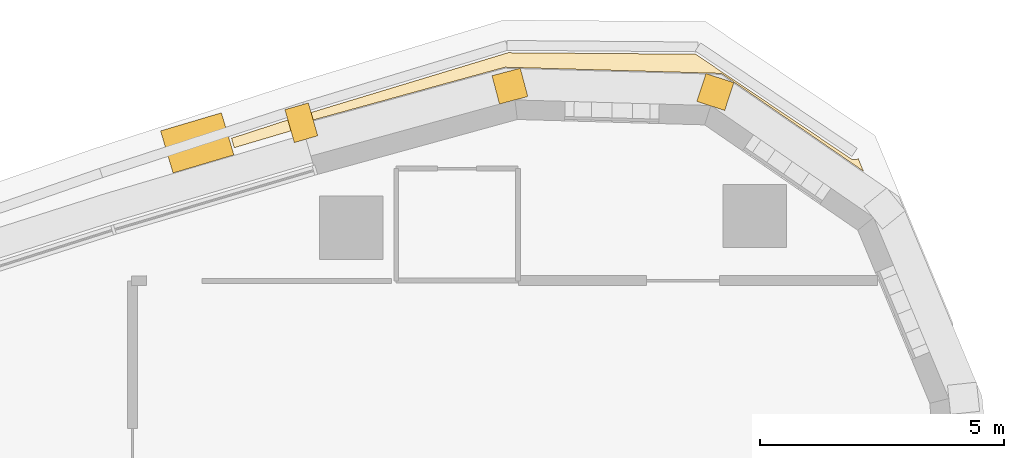
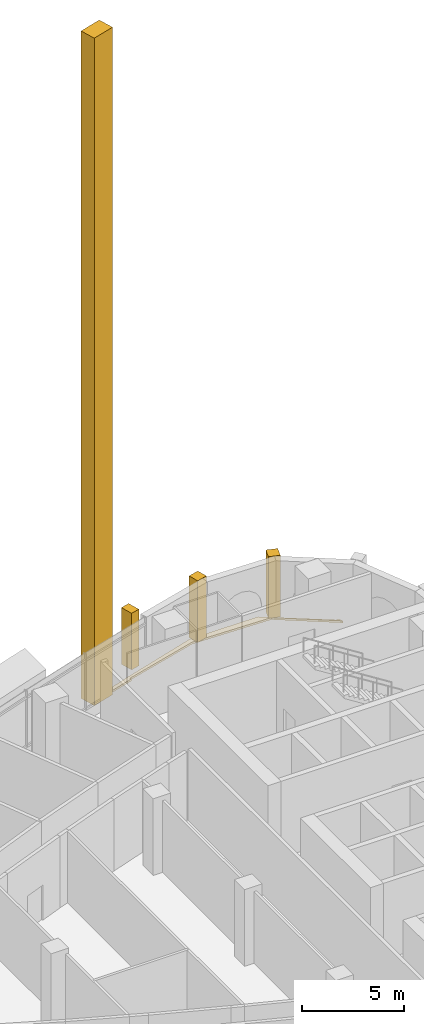
# One storey, part 17 of 19: 5 coverings.
"""IFC4 building model written with IfcOpenShell, lengths in metres."""

import ifcopenshell
import ifcopenshell.guid

model = None  # the IFC model being written
_history = None  # IfcOwnerHistory: only IFC2X3 demands one
_inside = {}  # id of a spatial element -> (the spatial element, [elements in it])
_under = {}  # id of a project, library or spatial element -> (it, [spatial elements below it])
_declared = {}  # id of a project -> (the project, [libraries it declares])
_typed = {}  # id of a type object -> (the type object, [elements of that type])
_made_of = {}  # id of a material, layer set ... -> (it, [elements and type objects made of it])


def new_model(schema):
    """Start an empty IFC model of exactly this schema.

    Asked for "IFC4X3", IfcOpenShell would pick the latest addendum, in which some entities
    have other attributes; the version numbers below select the first issue.
    IFC2X3 requires an IfcOwnerHistory on every rooted entity: one is made here for all.
    """
    global model, _history
    if schema == "IFC4X3":
        model = ifcopenshell.file(schema_version=(4, 3, 0, 0))
    else:
        model = ifcopenshell.file(schema=schema)
    _inside.clear()
    _under.clear()
    _declared.clear()
    _typed.clear()
    _made_of.clear()
    _history = None
    if model.schema == "IFC2X3":
        org = make("IfcOrganization", Name="unknown")
        user = make(
            "IfcPersonAndOrganization",
            ThePerson=make("IfcPerson", FamilyName="unknown"),
            TheOrganization=org,
        )
        app = make(
            "IfcApplication",
            ApplicationDeveloper=org,
            Version="unknown",
            ApplicationFullName="unknown",
            ApplicationIdentifier="unknown",
        )
        _history = make(
            "IfcOwnerHistory",
            OwningUser=user,
            OwningApplication=app,
            ChangeAction="ADDED",
            CreationDate=0,
        )
    return model


def make(cls, **values):
    """One entity of the class cls with the attributes given. An attribute that is None is left unset."""
    return model.create_entity(
        cls, **{name: value for name, value in values.items() if value is not None}
    )


def rooted(cls, **values):
    """An entity with a GlobalId (a new one), such as an element, a storey or a relation."""
    return make(cls, GlobalId=ifcopenshell.guid.new(), OwnerHistory=_history, **values)


def si_unit(unit_type, name, prefix=None):
    """IfcSIUnit, for example si_unit("LENGTHUNIT", "METRE", prefix="MILLI")."""
    return make("IfcSIUnit", UnitType=unit_type, Prefix=prefix, Name=name)


def assignment(units):
    """IfcUnitAssignment: the units of a project."""
    return None if units is None else make("IfcUnitAssignment", Units=units)


def point(xyz):
    """IfcCartesianPoint."""
    return None if xyz is None else make("IfcCartesianPoint", Coordinates=xyz)


def direction(xyz):
    """IfcDirection."""
    return None if xyz is None else make("IfcDirection", DirectionRatios=xyz)


def frame(location, z_axis=None, x_axis=None):
    """IfcAxis2Placement3D, a coordinate frame: its origin and axes. An axis left out is left unset."""
    return make(
        "IfcAxis2Placement3D",
        Location=point(location),
        Axis=direction(z_axis),
        RefDirection=direction(x_axis),
    )


def frame_2d(location, x_axis=None):
    """IfcAxis2Placement2D, a coordinate frame in the plane: its origin and x axis."""
    return make(
        "IfcAxis2Placement2D", Location=point(location), RefDirection=direction(x_axis)
    )


def origin():
    """The frame at (0, 0, 0) with its axes left unset."""
    return frame((0.0, 0.0, 0.0))


def place(relative_to, where):
    """IfcLocalPlacement: puts the frame where relative to a parent placement (None: the world)."""
    return make(
        "IfcLocalPlacement", PlacementRelTo=relative_to, RelativePlacement=where
    )


def context(
    kind, dimensions, precision=None, world=None, true_north=None, identifier=None
):
    """IfcGeometricRepresentationContext, for example the 3D "Model" context."""
    return make(
        "IfcGeometricRepresentationContext",
        ContextIdentifier=identifier,
        ContextType=kind,
        CoordinateSpaceDimension=dimensions,
        Precision=precision,
        WorldCoordinateSystem=world,
        TrueNorth=true_north,
    )


def subcontext(parent, identifier, kind, view, scale=None):
    """IfcGeometricRepresentationSubContext, for example "Body" below "Model"."""
    return make(
        "IfcGeometricRepresentationSubContext",
        ContextIdentifier=identifier,
        ContextType=kind,
        ParentContext=parent,
        TargetScale=scale,
        TargetView=view,
    )


def project(units=None, contexts=None):
    """IfcProject with its units and contexts."""
    return rooted(
        "IfcProject",
        Name="project",
        RepresentationContexts=contexts,
        UnitsInContext=assignment(units),
    )


def spatial(cls, under=None, at=None, **own):
    """A site, building, storey or space (cls), placed at a placement, below another one or the project."""
    s = rooted(cls, ObjectPlacement=at, **own)
    if under is not None:
        _under.setdefault(under.id(), (under, []))[1].append(s)
    return s


def polyline(points):
    """IfcPolyline through the points."""
    return make("IfcPolyline", Points=[point(p) for p in points])


def profile(cls, at=None, kind="AREA", **sizes):
    """A parametric profile (cls). Its sizes go by their IFC names, for example OverallWidth=200.0."""
    return make(cls, ProfileType=kind, Position=at, **sizes)


def rectangle(**sizes):
    """IfcRectangleProfileDef."""
    return profile("IfcRectangleProfileDef", **sizes)


def outline(outer, holes=None, kind="AREA"):
    """IfcArbitraryClosedProfileDef: a profile drawn as a closed curve; with holes, ...WithVoids."""
    if holes is None:
        return make("IfcArbitraryClosedProfileDef", ProfileType=kind, OuterCurve=outer)
    return make(
        "IfcArbitraryProfileDefWithVoids",
        ProfileType=kind,
        OuterCurve=outer,
        InnerCurves=holes,
    )


def extrude(swept, where, along, depth):
    """IfcExtrudedAreaSolid: the profile swept, set in the frame where, extruded along a direction by depth."""
    return make(
        "IfcExtrudedAreaSolid",
        SweptArea=swept,
        Position=where,
        ExtrudedDirection=direction(along),
        Depth=depth,
    )


def shape(context_of_items, identifier, shape_type, items):
    """IfcShapeRepresentation: the items that make up one representation, for example the "Body"."""
    return make(
        "IfcShapeRepresentation",
        ContextOfItems=context_of_items,
        RepresentationIdentifier=identifier,
        RepresentationType=shape_type,
        Items=items,
    )


def material(Name=None, Category=None):
    """IfcMaterial."""
    return make("IfcMaterial", Name=Name, Category=Category)


def layer(
    of_material, thickness, ventilated=None, Name=None, Category=None, Priority=None
):
    """IfcMaterialLayer: one layer of a wall or slab, of a material (None: an air gap)."""
    return make(
        "IfcMaterialLayer",
        Material=of_material,
        LayerThickness=thickness,
        IsVentilated=ventilated,
        Name=Name,
        Category=Category,
        Priority=Priority,
    )


def layer_set(layers, Name=None):
    """IfcMaterialLayerSet."""
    return make("IfcMaterialLayerSet", MaterialLayers=layers, LayerSetName=Name)


def made_of(thing, what):
    """Note that an element or type object is made of a material, layer set ...; save() writes the relation."""
    if what is not None:
        _made_of.setdefault(what.id(), (what, []))[1].append(thing)
    return thing


def type_object(cls, material=None, **own):
    """A type object (cls), such as IfcWallType, which elements share."""
    return made_of(rooted(cls, **own), material)


def element(
    cls,
    number,
    at=None,
    inside=None,
    cuts=None,
    type_object=None,
    material=None,
    context=None,
    identifier="Body",
    shape_type=None,
    held_by="IfcProductDefinitionShape",
    body=None,
    shapes=None,
    **own,
):
    """One element of the class cls, such as IfcWall. Its Tag is "e" and its number.

    at: its placement. inside: the storey or other place that contains it. cuts: it is an
    opening in that element (IfcRelVoidsElement). A single representation is given by context,
    identifier, shape_type and body (its items); several are given by shapes. held_by: the class
    of the entity that holds the representations. save() writes the other relations.
    """
    e = rooted(cls, Tag="e%d" % number, ObjectPlacement=at, **own)
    if body is not None:
        shapes = [shape(context, identifier, shape_type, body)]
    if shapes is not None:
        e.Representation = make(held_by, Representations=shapes)
    if inside is not None:
        _inside.setdefault(inside.id(), (inside, []))[1].append(e)
    if cuts is not None:
        rooted(
            "IfcRelVoidsElement", RelatingBuildingElement=cuts, RelatedOpeningElement=e
        )
    if type_object is not None:
        _typed.setdefault(type_object.id(), (type_object, []))[1].append(e)
    return made_of(e, material)


def aggregate(whole, parts):
    """IfcRelAggregates: a whole, such as a stair, and the parts it consists of."""
    return rooted("IfcRelAggregates", RelatingObject=whole, RelatedObjects=parts)


def save(model, path):
    """Write the relations noted so far, then the file.

    IfcRelAggregates (storeys below a building ...), IfcRelContainedInSpatialStructure (elements
    in a storey), IfcRelDefinesByType, IfcRelAssociatesMaterial and IfcRelDeclares: one each for
    every whole, place, type object, material and project.
    """
    for whole, parts in _under.values():
        aggregate(whole, parts)
    for where, things in _inside.values():
        rooted(
            "IfcRelContainedInSpatialStructure",
            RelatedElements=things,
            RelatingStructure=where,
        )
    for kind, things in _typed.values():
        rooted("IfcRelDefinesByType", RelatedObjects=things, RelatingType=kind)
    for what, things in _made_of.values():
        rooted("IfcRelAssociatesMaterial", RelatedObjects=things, RelatingMaterial=what)
    for by, libraries in _declared.values():
        rooted("IfcRelDeclares", RelatingContext=by, RelatedDefinitions=libraries)
    model.write(path)


model = new_model("IFC4")

# Units and contexts
model_context = context("Model", 3, precision=1e-05, world=origin(), true_north=direction((0.0, 1.0)))
body_context = subcontext(model_context, "Body", "Model", "MODEL_VIEW")
ifc_project = project(units=[si_unit("LENGTHUNIT", "METRE"), si_unit("AREAUNIT", "SQUARE_METRE"), si_unit("VOLUMEUNIT", "CUBIC_METRE"), si_unit("PLANEANGLEUNIT", "RADIAN"), si_unit("MASSUNIT", "GRAM", prefix="KILO")], contexts=[model_context])

# Site, building, storey
site_placement = place(None, origin())
site = spatial("IfcSite", under=ifc_project, at=site_placement, CompositionType="ELEMENT")
building_placement = place(site_placement, origin())
building = spatial("IfcBuilding", under=site, at=building_placement, Name="Ostrand Prow Hotel Tower", CompositionType="ELEMENT")
storey_placement = place(building_placement, frame((0.0, 0.0, 170.89990234375)))
storey = spatial("IfcBuildingStorey", under=building, at=storey_placement, Name="L42", CompositionType="ELEMENT", Elevation=170.89990234375)

# Coverings
ifc_material_1 = material(Name="Limestone cladding", Category="masonry")
ifc_layer_1 = layer(ifc_material_1, 1.300048828125)
ifc_layer_set_1 = layer_set([ifc_layer_1], Name="Limestone cladding")
covering_type_1 = type_object("IfcCoveringType", Name="Precast stone fin 1300x1500", PredefinedType="CLADDING", material=ifc_layer_set_1)
covering_1_placement = place(storey_placement, frame((49.899658203125, 22.745849609375, 0.0), z_axis=(0.0, 0.0, 1.0), x_axis=(-0.284559335749, 0.958658429493, 0.0)))
element("IfcCovering", 1, at=covering_1_placement, inside=storey, type_object=covering_type_1, Name="Stone fin N zone 4 1", PredefinedType="CLADDING", context=body_context, shape_type="SweptSolid", body=[
    extrude(rectangle(XDim=0.89990234375, YDim=1.300048828125, at=frame_2d((0.449951171875, 0.0))), origin(), (0.0, 0.0, 1.0), 40.10009765625),
])
ifc_material_2 = material(Name="Limestone cladding", Category="masonry")
ifc_layer_2 = layer(ifc_material_2, 0.5)
ifc_layer_set_2 = layer_set([ifc_layer_2], Name="Limestone cladding")
covering_type_2 = type_object("IfcCoveringType", Name="Precast stone fin 500x600", PredefinedType="CLADDING", material=ifc_layer_set_2)
covering_2_placement = place(storey_placement, frame((52.001220703125, 23.25390625, 0.900146484375), z_axis=(0.0, 0.0, 1.0), x_axis=(-0.275135611865, 0.96140542701, 0.0)))
element("IfcCovering", 2, at=covering_2_placement, inside=storey, type_object=covering_type_2, Name="Stone fin N 1", PredefinedType="CLADDING", context=body_context, shape_type="SweptSolid", body=[
    extrude(rectangle(XDim=0.7001953125, YDim=0.5, at=frame_2d((0.35009765625, 0.0))), origin(), (0.0, 0.0, 1.0), 3.39990234375),
])
ifc_material_3 = material(Name="Limestone cladding", Category="masonry")
ifc_layer_3 = layer(ifc_material_3, 0.60009765625)
ifc_layer_set_3 = layer_set([ifc_layer_3], Name="Limestone cladding")
covering_type_3 = type_object("IfcCoveringType", Name="Precast stone prow rib 600x600", PredefinedType="CLADDING", material=ifc_layer_set_3)
for number, where, z_axis, x_axis, name in (
    (3, (60.297607421875, 23.935302734375, 0.60009765625), (0.0, 0.0, 1.0), (0.310484329644, 0.950578498098, 0.0), "Stone corner rib 15a"),
    (4, (56.256591796875, 24.05126953125, 0.60009765625), (0.0, 0.0, 1.0), (-0.255154261231, 0.966900358349, 0.0), "Stone corner rib 15b"),
):
    element("IfcCovering", number, at=place(storey_placement, frame(where, z_axis=z_axis, x_axis=x_axis)), inside=storey, type_object=covering_type_3, Name=name, PredefinedType="CLADDING", context=body_context, shape_type="SweptSolid", body=[
        extrude(rectangle(XDim=0.599853515625, YDim=0.60009765625, at=frame_2d((0.2998046875, 0.0))), origin(), (0.0, 0.0, 1.0), 3.699951171875),
    ])
ifc_material_4 = material(Name="Bituminous membrane, insulation and stone ballast", Category="masonry")
ifc_layer_4 = layer(ifc_material_4, 0.1201171875)
ifc_layer_set_4 = layer_set([ifc_layer_4], Name="Bituminous membrane, insulation and stone ballast")
covering_type_4 = type_object("IfcCoveringType", Name="Roof build-up membrane, insulation and stone ballast 120 mm", PredefinedType="ROOFING", material=ifc_layer_set_4)
covering_3_placement = place(storey_placement, origin())
element("IfcCovering", 5, at=covering_3_placement, inside=storey, type_object=covering_type_4, Name="Roof build-up Ledge roof slab L42.1 2", PredefinedType="ROOFING", context=body_context, shape_type="SweptSolid", body=[
    extrude(outline(polyline([(63.426025390625, 22.5986328125), (63.319580078125, 22.8544921875), (63.314453125, 22.8515625), (63.301025390625, 22.84521484375), (63.287353515625, 22.84033203125), (63.27294921875, 22.8369140625), (63.25830078125, 22.834716796875), (63.24365234375, 22.833984375), (63.22900390625, 22.8349609375), (63.214599609375, 22.837158203125), (63.2001953125, 22.8408203125), (63.186279296875, 22.845703125), (63.173095703125, 22.85205078125), (63.160400390625, 22.859619140625), (59.986328125, 24.99560546875), (56.143310546875, 25.02587890625), (52.010986328125, 23.772705078125), (50.473388671875, 23.2724609375), (50.53076171875, 23.079345703125), (51.912841796875, 23.489501953125), (51.893798828125, 23.556396484375), (51.893310546875, 23.55810546875), (51.893310546875, 23.560302734375), (51.89306640625, 23.562255859375), (51.893310546875, 23.564208984375), (51.8935546875, 23.566162109375), (51.89404296875, 23.568115234375), (51.894775390625, 23.56982421875), (51.895751953125, 23.571533203125), (51.896728515625, 23.5732421875), (51.89794921875, 23.57470703125), (51.8994140625, 23.576416015625), (51.90087890625, 23.57763671875), (51.90234375, 23.57861328125), (51.904052734375, 23.57958984375), (51.906005859375, 23.58056640625), (51.90771484375, 23.5810546875), (56.07763671875, 24.72802734375), (56.07958984375, 24.728515625), (56.08154296875, 24.728759765625), (56.08349609375, 24.728759765625), (60.50927734375, 24.601806640625), (60.51123046875, 24.6015625), (60.51318359375, 24.601318359375), (60.514892578125, 24.6005859375), (60.5166015625, 24.60009765625), (60.518310546875, 24.59912109375), (60.52001953125, 24.59814453125), (63.426025390625, 22.5986328125)])), origin(), (0.0, 0.0, 1.0), 0.1201171875),
])

save(model, "model.ifc")
